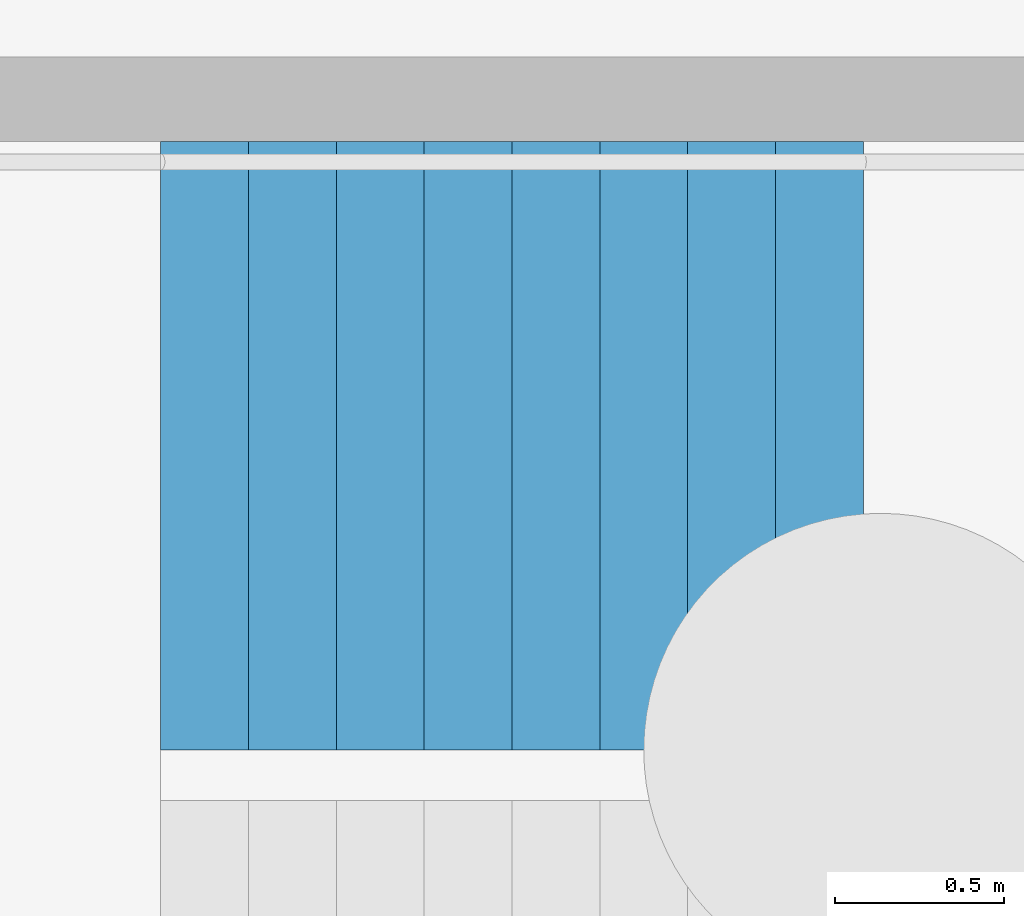
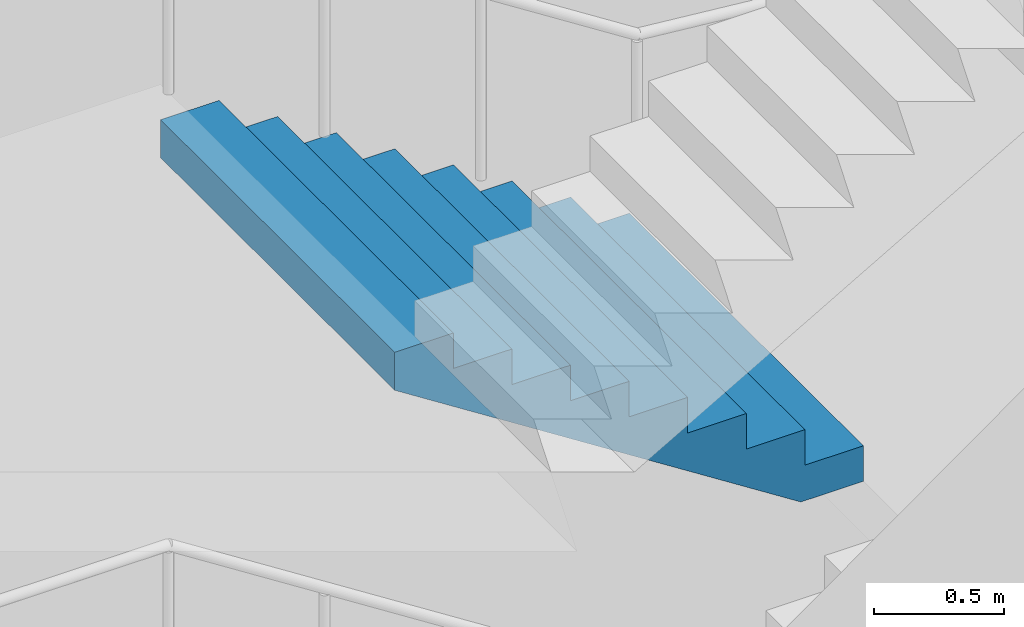
# One storey, part 56 of 113: 1 stair flight, 1 element without a shape of its own.
"""IFC4 building model written with IfcOpenShell, lengths in metres."""

from ifc_helpers import new_model, si_unit, direction, frame, origin, place, context, subcontext, project, spatial, triangles, material, type_object, element, aggregate, save


model = new_model("IFC4")

# Units and contexts
model_context = context("Model", 3, precision=1e-05, world=origin(), true_north=direction((0.0, 1.0)))
body_context = subcontext(model_context, "Body", "Model", "MODEL_VIEW")
ifc_project = project(units=[si_unit("LENGTHUNIT", "METRE"), si_unit("AREAUNIT", "SQUARE_METRE"), si_unit("VOLUMEUNIT", "CUBIC_METRE"), si_unit("PLANEANGLEUNIT", "RADIAN"), si_unit("MASSUNIT", "GRAM", prefix="KILO")], contexts=[model_context])

# Site, building, storey
site_placement = place(None, origin())
site = spatial("IfcSite", under=ifc_project, at=site_placement, CompositionType="ELEMENT")
building_placement = place(site_placement, origin())
building = spatial("IfcBuilding", under=site, at=building_placement, Name="Hakoniwa Tower and Hamabe Station Hall", CompositionType="ELEMENT")
storey_placement = place(building_placement, origin())
storey = spatial("IfcBuildingStorey", under=building, at=storey_placement, Name="L01", CompositionType="ELEMENT", Elevation=0.0)

# Stair, stair flight
ifc_material_1 = material(Name="Concrete C40", Category="concrete")
stair_type = type_object("IfcStairType", Name="ESCAPE STAIR 1800", PredefinedType="HALF_TURN_STAIR", material=ifc_material_1)
stair_placement = place(storey_placement, origin())
stair = element("IfcStair", 1, at=stair_placement, inside=storey, type_object=stair_type, Name="Escape stair ST-2 L01", PredefinedType="HALF_TURN_STAIR")
ifc_material_2 = material(Name="Concrete C40", Category="concrete")
stair_flight_type = type_object("IfcStairFlightType", Name="STAIR FLIGHT 1800", PredefinedType="STRAIGHT", material=ifc_material_2)
stair_flight_placement = place(storey_placement, frame((-23.39990234375, -4.64990234375, 3.0), z_axis=(0.0, 0.0, 1.0), x_axis=(-1.0, 0.0, 0.0)))
stair_flight = element("IfcStairFlight", 2, at=stair_flight_placement, type_object=stair_flight_type, Name="ST-2 flight 3", NumberOfRisers=9, NumberOfTreads=8, PredefinedType="STRAIGHT", RiserHeight=0.166666667, TreadLength=0.26, context=body_context, shape_type="Tessellation", body=[
    triangles([(0.0, 0.89990234375, 0.0), (0.260009765625, 0.89990234375, 0.0), (0.27783203125, 0.89990234375, 0.0), (0.52001953125, 0.89990234375, 0.1552734375), (0.780029296875, 0.89990234375, 0.322021484375), (1.0400390625, 0.89990234375, 0.488525390625), (1.300048828125, 0.89990234375, 0.6552734375), (1.56005859375, 0.89990234375, 0.822021484375), (1.820068359375, 0.89990234375, 0.988525390625), (2.080078125, 0.89990234375, 1.1552734375), (2.080078125, 0.89990234375, 1.333251953125), (1.820068359375, 0.89990234375, 1.333251953125), (1.820068359375, 0.89990234375, 1.166748046875), (1.56005859375, 0.89990234375, 1.166748046875), (1.56005859375, 0.89990234375, 1.0), (1.300048828125, 0.89990234375, 1.0), (1.300048828125, 0.89990234375, 0.833251953125), (1.0400390625, 0.89990234375, 0.833251953125), (1.0400390625, 0.89990234375, 0.666748046875), (0.780029296875, 0.89990234375, 0.666748046875), (0.780029296875, 0.89990234375, 0.5), (0.52001953125, 0.89990234375, 0.5), (0.52001953125, 0.89990234375, 0.333251953125), (0.27783203125, 0.89990234375, 0.333251953125), (0.260009765625, 0.89990234375, 0.333251953125), (0.260009765625, 0.89990234375, 0.166748046875), (0.0, 0.89990234375, 0.166748046875), (0.0, 0.06005859375, 0.0), (0.260009765625, 0.06005859375, 0.0), (0.27783203125, 0.06005859375, 0.0), (0.52001953125, 0.06005859375, 0.1552734375), (0.780029296875, 0.06005859375, 0.322021484375), (1.0400390625, 0.06005859375, 0.488525390625), (1.300048828125, 0.06005859375, 0.6552734375), (1.56005859375, 0.06005859375, 0.822021484375), (1.820068359375, 0.06005859375, 0.988525390625), (2.080078125, 0.06005859375, 1.1552734375), (2.080078125, 0.06005859375, 1.333251953125), (1.820068359375, 0.06005859375, 1.333251953125), (1.820068359375, 0.06005859375, 1.166748046875), (1.56005859375, 0.06005859375, 1.166748046875), (1.56005859375, 0.06005859375, 1.0), (1.300048828125, 0.06005859375, 1.0), (1.300048828125, 0.06005859375, 0.833251953125), (1.0400390625, 0.06005859375, 0.833251953125), (1.0400390625, 0.06005859375, 0.666748046875), (0.780029296875, 0.06005859375, 0.666748046875), (0.780029296875, 0.06005859375, 0.5), (0.52001953125, 0.06005859375, 0.5), (0.52001953125, 0.06005859375, 0.333251953125), (0.27783203125, 0.06005859375, 0.333251953125), (0.260009765625, 0.06005859375, 0.333251953125), (0.260009765625, 0.06005859375, 0.166748046875), (0.0, 0.06005859375, 0.166748046875), (0.0, 0.04296875, 0.0), (0.260009765625, 0.04296875, 0.0), (0.27783203125, 0.04296875, 0.0), (0.52001953125, 0.04296875, 0.1552734375), (0.780029296875, 0.04296875, 0.322021484375), (1.0400390625, 0.04296875, 0.488525390625), (1.300048828125, 0.04296875, 0.6552734375), (1.56005859375, 0.04296875, 0.822021484375), (1.820068359375, 0.04296875, 0.988525390625), (2.080078125, 0.04296875, 1.1552734375), (2.080078125, 0.04296875, 1.333251953125), (1.820068359375, 0.04296875, 1.333251953125), (1.820068359375, 0.04296875, 1.166748046875), (1.56005859375, 0.04296875, 1.166748046875), (1.56005859375, 0.04296875, 1.0), (1.300048828125, 0.04296875, 1.0), (1.300048828125, 0.04296875, 0.833251953125), (1.0400390625, 0.04296875, 0.833251953125), (1.0400390625, 0.04296875, 0.666748046875), (0.780029296875, 0.04296875, 0.666748046875), (0.780029296875, 0.04296875, 0.5), (0.52001953125, 0.04296875, 0.5), (0.52001953125, 0.04296875, 0.333251953125), (0.27783203125, 0.04296875, 0.333251953125), (0.260009765625, 0.04296875, 0.333251953125), (0.260009765625, 0.04296875, 0.166748046875), (0.0, 0.04296875, 0.166748046875), (0.0, 0.025634765625, 0.0), (0.260009765625, 0.025634765625, 0.0), (0.27783203125, 0.025634765625, 0.0), (0.52001953125, 0.025634765625, 0.1552734375), (0.780029296875, 0.025634765625, 0.322021484375), (1.0400390625, 0.025634765625, 0.488525390625), (1.300048828125, 0.025634765625, 0.6552734375), (1.56005859375, 0.025634765625, 0.822021484375), (1.820068359375, 0.025634765625, 0.988525390625), (2.080078125, 0.025634765625, 1.1552734375), (2.080078125, 0.025634765625, 1.333251953125), (1.820068359375, 0.025634765625, 1.333251953125), (1.820068359375, 0.025634765625, 1.166748046875), (1.56005859375, 0.025634765625, 1.166748046875), (1.56005859375, 0.025634765625, 1.0), (1.300048828125, 0.025634765625, 1.0), (1.300048828125, 0.025634765625, 0.833251953125), (1.0400390625, 0.025634765625, 0.833251953125), (1.0400390625, 0.025634765625, 0.666748046875), (0.780029296875, 0.025634765625, 0.666748046875), (0.780029296875, 0.025634765625, 0.5), (0.52001953125, 0.025634765625, 0.5), (0.52001953125, 0.025634765625, 0.333251953125), (0.27783203125, 0.025634765625, 0.333251953125), (0.260009765625, 0.025634765625, 0.333251953125), (0.260009765625, 0.025634765625, 0.166748046875), (0.0, 0.025634765625, 0.166748046875), (0.0, 0.008544921875, 0.0), (0.260009765625, 0.008544921875, 0.0), (0.27783203125, 0.008544921875, 0.0), (0.52001953125, 0.008544921875, 0.1552734375), (0.780029296875, 0.008544921875, 0.322021484375), (1.0400390625, 0.008544921875, 0.488525390625), (1.300048828125, 0.008544921875, 0.6552734375), (1.56005859375, 0.008544921875, 0.822021484375), (1.820068359375, 0.008544921875, 0.988525390625), (2.080078125, 0.008544921875, 1.1552734375), (2.080078125, 0.008544921875, 1.333251953125), (1.820068359375, 0.008544921875, 1.333251953125), (1.820068359375, 0.008544921875, 1.166748046875), (1.56005859375, 0.008544921875, 1.166748046875), (1.56005859375, 0.008544921875, 1.0), (1.300048828125, 0.008544921875, 1.0), (1.300048828125, 0.008544921875, 0.833251953125), (1.0400390625, 0.008544921875, 0.833251953125), (1.0400390625, 0.008544921875, 0.666748046875), (0.780029296875, 0.008544921875, 0.666748046875), (0.780029296875, 0.008544921875, 0.5), (0.52001953125, 0.008544921875, 0.5), (0.52001953125, 0.008544921875, 0.333251953125), (0.27783203125, 0.008544921875, 0.333251953125), (0.260009765625, 0.008544921875, 0.333251953125), (0.260009765625, 0.008544921875, 0.166748046875), (0.0, 0.008544921875, 0.166748046875), (0.0, -0.008544921875, 0.0), (0.260009765625, -0.008544921875, 0.0), (0.27783203125, -0.008544921875, 0.0), (0.52001953125, -0.008544921875, 0.1552734375), (0.780029296875, -0.008544921875, 0.322021484375), (1.0400390625, -0.008544921875, 0.488525390625), (1.300048828125, -0.008544921875, 0.6552734375), (1.56005859375, -0.008544921875, 0.822021484375), (1.820068359375, -0.008544921875, 0.988525390625), (2.080078125, -0.008544921875, 1.1552734375), (2.080078125, -0.008544921875, 1.333251953125), (1.820068359375, -0.008544921875, 1.333251953125), (1.820068359375, -0.008544921875, 1.166748046875), (1.56005859375, -0.008544921875, 1.166748046875), (1.56005859375, -0.008544921875, 1.0), (1.300048828125, -0.008544921875, 1.0), (1.300048828125, -0.008544921875, 0.833251953125), (1.0400390625, -0.008544921875, 0.833251953125), (1.0400390625, -0.008544921875, 0.666748046875), (0.780029296875, -0.008544921875, 0.666748046875), (0.780029296875, -0.008544921875, 0.5), (0.52001953125, -0.008544921875, 0.5), (0.52001953125, -0.008544921875, 0.333251953125), (0.27783203125, -0.008544921875, 0.333251953125), (0.260009765625, -0.008544921875, 0.333251953125), (0.260009765625, -0.008544921875, 0.166748046875), (0.0, -0.008544921875, 0.166748046875), (0.0, -0.025634765625, 0.0), (0.260009765625, -0.025634765625, 0.0), (0.27783203125, -0.025634765625, 0.0), (0.52001953125, -0.025634765625, 0.1552734375), (0.780029296875, -0.025634765625, 0.322021484375), (1.0400390625, -0.025634765625, 0.488525390625), (1.300048828125, -0.025634765625, 0.6552734375), (1.56005859375, -0.025634765625, 0.822021484375), (1.820068359375, -0.025634765625, 0.988525390625), (2.080078125, -0.025634765625, 1.1552734375), (2.080078125, -0.025634765625, 1.333251953125), (1.820068359375, -0.025634765625, 1.333251953125), (1.820068359375, -0.025634765625, 1.166748046875), (1.56005859375, -0.025634765625, 1.166748046875), (1.56005859375, -0.025634765625, 1.0), (1.300048828125, -0.025634765625, 1.0), (1.300048828125, -0.025634765625, 0.833251953125), (1.0400390625, -0.025634765625, 0.833251953125), (1.0400390625, -0.025634765625, 0.666748046875), (0.780029296875, -0.025634765625, 0.666748046875), (0.780029296875, -0.025634765625, 0.5), (0.52001953125, -0.025634765625, 0.5), (0.52001953125, -0.025634765625, 0.333251953125), (0.27783203125, -0.025634765625, 0.333251953125), (0.260009765625, -0.025634765625, 0.333251953125), (0.260009765625, -0.025634765625, 0.166748046875), (0.0, -0.025634765625, 0.166748046875), (0.0, -0.04296875, 0.0), (0.260009765625, -0.04296875, 0.0), (0.27783203125, -0.04296875, 0.0), (0.52001953125, -0.04296875, 0.1552734375), (0.780029296875, -0.04296875, 0.322021484375), (1.0400390625, -0.04296875, 0.488525390625), (1.300048828125, -0.04296875, 0.6552734375), (1.56005859375, -0.04296875, 0.822021484375), (1.820068359375, -0.04296875, 0.988525390625), (2.080078125, -0.04296875, 1.1552734375), (2.080078125, -0.04296875, 1.333251953125), (1.820068359375, -0.04296875, 1.333251953125), (1.820068359375, -0.04296875, 1.166748046875), (1.56005859375, -0.04296875, 1.166748046875), (1.56005859375, -0.04296875, 1.0), (1.300048828125, -0.04296875, 1.0), (1.300048828125, -0.04296875, 0.833251953125), (1.0400390625, -0.04296875, 0.833251953125), (1.0400390625, -0.04296875, 0.666748046875), (0.780029296875, -0.04296875, 0.666748046875), (0.780029296875, -0.04296875, 0.5), (0.52001953125, -0.04296875, 0.5), (0.52001953125, -0.04296875, 0.333251953125), (0.27783203125, -0.04296875, 0.333251953125), (0.260009765625, -0.04296875, 0.333251953125), (0.260009765625, -0.04296875, 0.166748046875), (0.0, -0.04296875, 0.166748046875), (0.0, -0.06005859375, 0.0), (0.260009765625, -0.06005859375, 0.0), (0.27783203125, -0.06005859375, 0.0), (0.52001953125, -0.06005859375, 0.1552734375), (0.780029296875, -0.06005859375, 0.322021484375), (1.0400390625, -0.06005859375, 0.488525390625), (1.300048828125, -0.06005859375, 0.6552734375), (1.56005859375, -0.06005859375, 0.822021484375), (1.820068359375, -0.06005859375, 0.988525390625), (2.080078125, -0.06005859375, 1.1552734375), (2.080078125, -0.06005859375, 1.333251953125), (1.820068359375, -0.06005859375, 1.333251953125), (1.820068359375, -0.06005859375, 1.166748046875), (1.56005859375, -0.06005859375, 1.166748046875), (1.56005859375, -0.06005859375, 1.0), (1.300048828125, -0.06005859375, 1.0), (1.300048828125, -0.06005859375, 0.833251953125), (1.0400390625, -0.06005859375, 0.833251953125), (1.0400390625, -0.06005859375, 0.666748046875), (0.780029296875, -0.06005859375, 0.666748046875), (0.780029296875, -0.06005859375, 0.5), (0.52001953125, -0.06005859375, 0.5), (0.52001953125, -0.06005859375, 0.333251953125), (0.27783203125, -0.06005859375, 0.333251953125), (0.260009765625, -0.06005859375, 0.333251953125), (0.260009765625, -0.06005859375, 0.166748046875), (0.0, -0.06005859375, 0.166748046875), (0.0, -0.89990234375, 0.0), (0.260009765625, -0.89990234375, 0.0), (0.27783203125, -0.89990234375, 0.0), (0.52001953125, -0.89990234375, 0.1552734375), (0.780029296875, -0.89990234375, 0.322021484375), (1.0400390625, -0.89990234375, 0.488525390625), (1.300048828125, -0.89990234375, 0.6552734375), (1.56005859375, -0.89990234375, 0.822021484375), (1.820068359375, -0.89990234375, 0.988525390625), (2.080078125, -0.89990234375, 1.1552734375), (2.080078125, -0.89990234375, 1.333251953125), (1.820068359375, -0.89990234375, 1.333251953125), (1.820068359375, -0.89990234375, 1.166748046875), (1.56005859375, -0.89990234375, 1.166748046875), (1.56005859375, -0.89990234375, 1.0), (1.300048828125, -0.89990234375, 1.0), (1.300048828125, -0.89990234375, 0.833251953125), (1.0400390625, -0.89990234375, 0.833251953125), (1.0400390625, -0.89990234375, 0.666748046875), (0.780029296875, -0.89990234375, 0.666748046875), (0.780029296875, -0.89990234375, 0.5), (0.52001953125, -0.89990234375, 0.5), (0.52001953125, -0.89990234375, 0.333251953125), (0.27783203125, -0.89990234375, 0.333251953125), (0.260009765625, -0.89990234375, 0.333251953125), (0.260009765625, -0.89990234375, 0.166748046875), (0.0, -0.89990234375, 0.166748046875)], [[2, 27, 26], [245, 269, 270], [2, 1, 27], [245, 270, 244], [3, 25, 24], [246, 267, 268], [3, 26, 25], [246, 268, 269], [3, 2, 26], [246, 269, 245], [4, 24, 23], [247, 266, 267], [4, 3, 24], [247, 267, 246], [5, 22, 21], [248, 264, 265], [5, 23, 22], [248, 265, 266], [5, 4, 23], [248, 266, 247], [6, 20, 19], [249, 262, 263], [6, 21, 20], [249, 263, 264], [6, 5, 21], [249, 264, 248], [7, 18, 17], [250, 260, 261], [7, 19, 18], [250, 261, 262], [7, 6, 19], [250, 262, 249], [8, 16, 15], [251, 258, 259], [8, 17, 16], [251, 259, 260], [8, 7, 17], [251, 260, 250], [9, 14, 13], [252, 256, 257], [9, 15, 14], [252, 257, 258], [9, 8, 15], [252, 258, 251], [10, 12, 11], [253, 254, 255], [10, 13, 12], [253, 255, 256], [10, 9, 13], [253, 256, 252], [1, 2, 29], [1, 29, 28], [28, 29, 56], [28, 56, 55], [55, 56, 83], [55, 83, 82], [82, 83, 110], [82, 110, 109], [109, 110, 137], [109, 137, 136], [136, 137, 164], [136, 164, 163], [163, 164, 191], [163, 191, 190], [190, 191, 218], [190, 218, 217], [217, 218, 245], [217, 245, 244], [2, 3, 30], [2, 30, 29], [29, 30, 57], [29, 57, 56], [56, 57, 84], [56, 84, 83], [83, 84, 111], [83, 111, 110], [110, 111, 138], [110, 138, 137], [137, 138, 165], [137, 165, 164], [164, 165, 192], [164, 192, 191], [191, 192, 219], [191, 219, 218], [218, 219, 246], [218, 246, 245], [3, 4, 31], [3, 31, 30], [30, 31, 58], [30, 58, 57], [57, 58, 85], [57, 85, 84], [84, 85, 112], [84, 112, 111], [111, 112, 139], [111, 139, 138], [138, 139, 166], [138, 166, 165], [165, 166, 193], [165, 193, 192], [192, 193, 220], [192, 220, 219], [219, 220, 247], [219, 247, 246], [4, 5, 32], [4, 32, 31], [31, 32, 59], [31, 59, 58], [58, 59, 86], [58, 86, 85], [85, 86, 113], [85, 113, 112], [112, 113, 140], [112, 140, 139], [139, 140, 167], [139, 167, 166], [166, 167, 194], [166, 194, 193], [193, 194, 221], [193, 221, 220], [220, 221, 248], [220, 248, 247], [5, 6, 33], [5, 33, 32], [32, 33, 60], [32, 60, 59], [59, 60, 87], [59, 87, 86], [86, 87, 114], [86, 114, 113], [113, 114, 141], [113, 141, 140], [140, 141, 168], [140, 168, 167], [167, 168, 195], [167, 195, 194], [194, 195, 222], [194, 222, 221], [221, 222, 249], [221, 249, 248], [6, 7, 34], [6, 34, 33], [33, 34, 61], [33, 61, 60], [60, 61, 88], [60, 88, 87], [87, 88, 115], [87, 115, 114], [114, 115, 142], [114, 142, 141], [141, 142, 169], [141, 169, 168], [168, 169, 196], [168, 196, 195], [195, 196, 223], [195, 223, 222], [222, 223, 250], [222, 250, 249], [7, 8, 35], [7, 35, 34], [34, 35, 62], [34, 62, 61], [61, 62, 89], [61, 89, 88], [88, 89, 116], [88, 116, 115], [115, 116, 143], [115, 143, 142], [142, 143, 170], [142, 170, 169], [169, 170, 197], [169, 197, 196], [196, 197, 224], [196, 224, 223], [223, 224, 251], [223, 251, 250], [8, 9, 36], [8, 36, 35], [35, 36, 63], [35, 63, 62], [62, 63, 90], [62, 90, 89], [89, 90, 117], [89, 117, 116], [116, 117, 144], [116, 144, 143], [143, 144, 171], [143, 171, 170], [170, 171, 198], [170, 198, 197], [197, 198, 225], [197, 225, 224], [224, 225, 252], [224, 252, 251], [9, 10, 37], [9, 37, 36], [36, 37, 64], [36, 64, 63], [63, 64, 91], [63, 91, 90], [90, 91, 118], [90, 118, 117], [117, 118, 145], [117, 145, 144], [144, 145, 172], [144, 172, 171], [171, 172, 199], [171, 199, 198], [198, 199, 226], [198, 226, 225], [225, 226, 253], [225, 253, 252], [10, 11, 38], [10, 38, 37], [37, 38, 65], [37, 65, 64], [64, 65, 92], [64, 92, 91], [91, 92, 119], [91, 119, 118], [118, 119, 146], [118, 146, 145], [145, 146, 173], [145, 173, 172], [172, 173, 200], [172, 200, 199], [199, 200, 227], [199, 227, 226], [226, 227, 254], [226, 254, 253], [11, 12, 39], [11, 39, 38], [38, 39, 66], [38, 66, 65], [65, 66, 93], [65, 93, 92], [92, 93, 120], [92, 120, 119], [119, 120, 147], [119, 147, 146], [146, 147, 174], [146, 174, 173], [173, 174, 201], [173, 201, 200], [200, 201, 228], [200, 228, 227], [227, 228, 255], [227, 255, 254], [12, 13, 40], [12, 40, 39], [39, 40, 67], [39, 67, 66], [66, 67, 94], [66, 94, 93], [93, 94, 121], [93, 121, 120], [120, 121, 148], [120, 148, 147], [147, 148, 175], [147, 175, 174], [174, 175, 202], [174, 202, 201], [201, 202, 229], [201, 229, 228], [228, 229, 256], [228, 256, 255], [13, 14, 41], [13, 41, 40], [40, 41, 68], [40, 68, 67], [67, 68, 95], [67, 95, 94], [94, 95, 122], [94, 122, 121], [121, 122, 149], [121, 149, 148], [148, 149, 176], [148, 176, 175], [175, 176, 203], [175, 203, 202], [202, 203, 230], [202, 230, 229], [229, 230, 257], [229, 257, 256], [14, 15, 42], [14, 42, 41], [41, 42, 69], [41, 69, 68], [68, 69, 96], [68, 96, 95], [95, 96, 123], [95, 123, 122], [122, 123, 150], [122, 150, 149], [149, 150, 177], [149, 177, 176], [176, 177, 204], [176, 204, 203], [203, 204, 231], [203, 231, 230], [230, 231, 258], [230, 258, 257], [15, 16, 43], [15, 43, 42], [42, 43, 70], [42, 70, 69], [69, 70, 97], [69, 97, 96], [96, 97, 124], [96, 124, 123], [123, 124, 151], [123, 151, 150], [150, 151, 178], [150, 178, 177], [177, 178, 205], [177, 205, 204], [204, 205, 232], [204, 232, 231], [231, 232, 259], [231, 259, 258], [16, 17, 44], [16, 44, 43], [43, 44, 71], [43, 71, 70], [70, 71, 98], [70, 98, 97], [97, 98, 125], [97, 125, 124], [124, 125, 152], [124, 152, 151], [151, 152, 179], [151, 179, 178], [178, 179, 206], [178, 206, 205], [205, 206, 233], [205, 233, 232], [232, 233, 260], [232, 260, 259], [17, 18, 45], [17, 45, 44], [44, 45, 72], [44, 72, 71], [71, 72, 99], [71, 99, 98], [98, 99, 126], [98, 126, 125], [125, 126, 153], [125, 153, 152], [152, 153, 180], [152, 180, 179], [179, 180, 207], [179, 207, 206], [206, 207, 234], [206, 234, 233], [233, 234, 261], [233, 261, 260], [18, 19, 46], [18, 46, 45], [45, 46, 73], [45, 73, 72], [72, 73, 100], [72, 100, 99], [99, 100, 127], [99, 127, 126], [126, 127, 154], [126, 154, 153], [153, 154, 181], [153, 181, 180], [180, 181, 208], [180, 208, 207], [207, 208, 235], [207, 235, 234], [234, 235, 262], [234, 262, 261], [19, 20, 47], [19, 47, 46], [46, 47, 74], [46, 74, 73], [73, 74, 101], [73, 101, 100], [100, 101, 128], [100, 128, 127], [127, 128, 155], [127, 155, 154], [154, 155, 182], [154, 182, 181], [181, 182, 209], [181, 209, 208], [208, 209, 236], [208, 236, 235], [235, 236, 263], [235, 263, 262], [20, 21, 48], [20, 48, 47], [47, 48, 75], [47, 75, 74], [74, 75, 102], [74, 102, 101], [101, 102, 129], [101, 129, 128], [128, 129, 156], [128, 156, 155], [155, 156, 183], [155, 183, 182], [182, 183, 210], [182, 210, 209], [209, 210, 237], [209, 237, 236], [236, 237, 264], [236, 264, 263], [21, 22, 49], [21, 49, 48], [48, 49, 76], [48, 76, 75], [75, 76, 103], [75, 103, 102], [102, 103, 130], [102, 130, 129], [129, 130, 157], [129, 157, 156], [156, 157, 184], [156, 184, 183], [183, 184, 211], [183, 211, 210], [210, 211, 238], [210, 238, 237], [237, 238, 265], [237, 265, 264], [22, 23, 50], [22, 50, 49], [49, 50, 77], [49, 77, 76], [76, 77, 104], [76, 104, 103], [103, 104, 131], [103, 131, 130], [130, 131, 158], [130, 158, 157], [157, 158, 185], [157, 185, 184], [184, 185, 212], [184, 212, 211], [211, 212, 239], [211, 239, 238], [238, 239, 266], [238, 266, 265], [23, 24, 51], [23, 51, 50], [50, 51, 78], [50, 78, 77], [77, 78, 105], [77, 105, 104], [104, 105, 132], [104, 132, 131], [131, 132, 159], [131, 159, 158], [158, 159, 186], [158, 186, 185], [185, 186, 213], [185, 213, 212], [212, 213, 240], [212, 240, 239], [239, 240, 267], [239, 267, 266], [24, 25, 52], [24, 52, 51], [51, 52, 79], [51, 79, 78], [78, 79, 106], [78, 106, 105], [105, 106, 133], [105, 133, 132], [132, 133, 160], [132, 160, 159], [159, 160, 187], [159, 187, 186], [186, 187, 214], [186, 214, 213], [213, 214, 241], [213, 241, 240], [240, 241, 268], [240, 268, 267], [25, 26, 53], [25, 53, 52], [52, 53, 80], [52, 80, 79], [79, 80, 107], [79, 107, 106], [106, 107, 134], [106, 134, 133], [133, 134, 161], [133, 161, 160], [160, 161, 188], [160, 188, 187], [187, 188, 215], [187, 215, 214], [214, 215, 242], [214, 242, 241], [241, 242, 269], [241, 269, 268], [26, 27, 54], [26, 54, 53], [53, 54, 81], [53, 81, 80], [80, 81, 108], [80, 108, 107], [107, 108, 135], [107, 135, 134], [134, 135, 162], [134, 162, 161], [161, 162, 189], [161, 189, 188], [188, 189, 216], [188, 216, 215], [215, 216, 243], [215, 243, 242], [242, 243, 270], [242, 270, 269], [27, 1, 28], [27, 28, 54], [54, 28, 55], [54, 55, 81], [81, 55, 82], [81, 82, 108], [108, 82, 109], [108, 109, 135], [135, 109, 136], [135, 136, 162], [162, 136, 163], [162, 163, 189], [189, 163, 190], [189, 190, 216], [216, 190, 217], [216, 217, 243], [243, 217, 244], [243, 244, 270]], closed=True),
])
aggregate(stair, [stair_flight])

save(model, "model.ifc")
